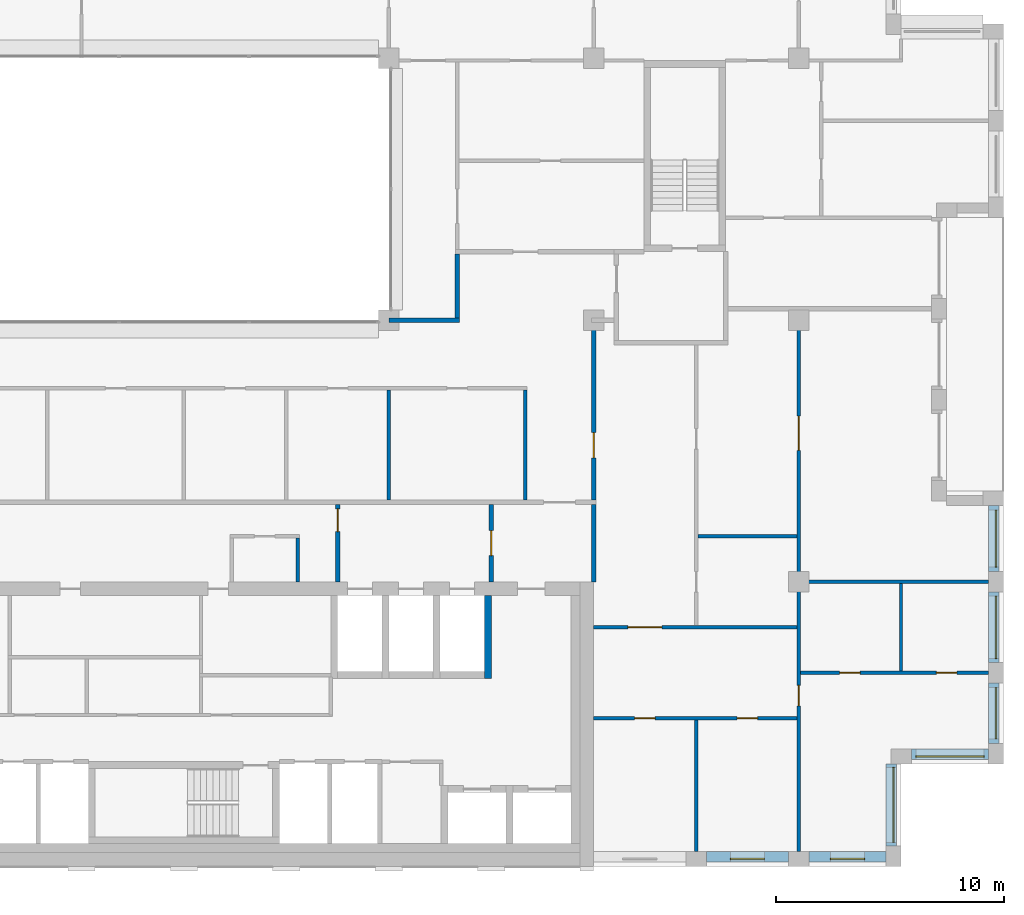
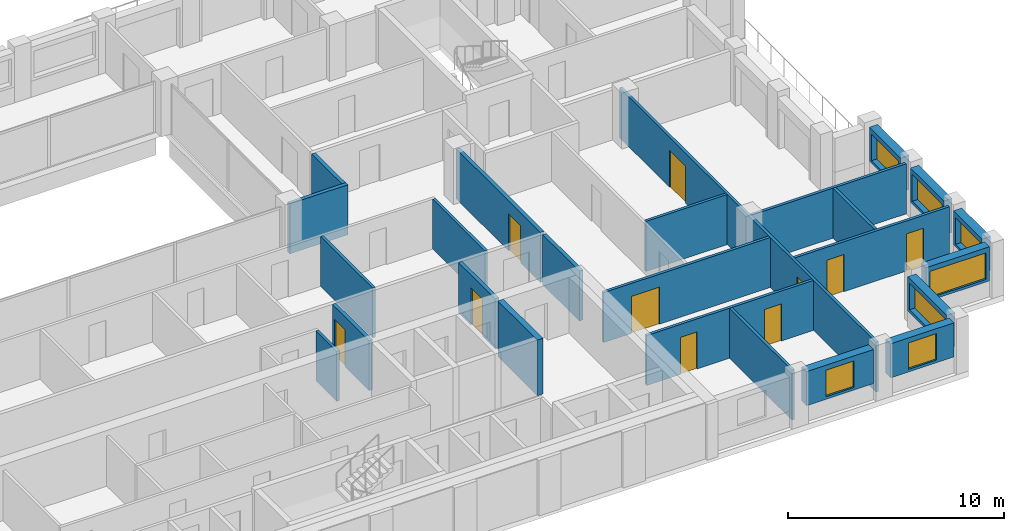
# One storey, part 11 of 15: 25 walls, 10 doors, 7 windows, 17 openings.
"""IFC4 building model written with IfcOpenShell, lengths in metres."""

from ifc_helpers import new_model, si_unit, direction, frame, frame_2d, origin, place, context, subcontext, project, spatial, rectangle, extrude, material, layer, layer_set, type_object, element, fill, save


model = new_model("IFC4")

# Units and contexts
model_context = context("Model", 3, precision=1e-05, world=origin(), true_north=direction((0.0, 1.0)))
body_context = subcontext(model_context, "Body", "Model", "MODEL_VIEW")
ifc_project = project(units=[si_unit("LENGTHUNIT", "METRE"), si_unit("AREAUNIT", "SQUARE_METRE"), si_unit("VOLUMEUNIT", "CUBIC_METRE"), si_unit("PLANEANGLEUNIT", "RADIAN"), si_unit("MASSUNIT", "GRAM", prefix="KILO")], contexts=[model_context])

# Site, building, storey
site_placement = place(None, origin())
site = spatial("IfcSite", under=ifc_project, at=site_placement, CompositionType="ELEMENT")
building_placement = place(site_placement, origin())
building = spatial("IfcBuilding", under=site, at=building_placement, Name="Brigalow Station Residences", CompositionType="ELEMENT")
storey_placement = place(building_placement, frame((0.0, 0.0, 226.35009765625)))
storey = spatial("IfcBuildingStorey", under=building, at=storey_placement, Name="L65", CompositionType="ELEMENT", Elevation=226.35009765625)

# Wall, opening, window
ifc_material_1 = material(Name="Clay brick masonry", Category="masonry")
ifc_layer_1 = layer(ifc_material_1, 0.449951171875)
ifc_layer_set_1 = layer_set([ifc_layer_1], Name="BRICK INFILL WALL 450")
wall_type_1 = type_object("IfcWallType", Name="BRICK INFILL WALL 450", PredefinedType="SOLIDWALL", material=ifc_layer_set_1)
wall_1_placement = place(storey_placement, frame((58.949951171875, 0.425048828125, 0.89990234375), z_axis=(0.0, 0.0, 1.0), x_axis=(1.0, 0.0, 0.0)))
wall_1 = element("IfcWall", 1, at=wall_1_placement, inside=storey, type_object=wall_type_1, Name="L65/ewall/W-L65-4", PredefinedType="SOLIDWALL", context=body_context, shape_type="SweptSolid", body=[
    extrude(rectangle(XDim=3.60009765625, YDim=0.449951171875, at=frame_2d((1.800048828125, 0.0))), origin(), (0.0, 0.0, 1.0), 1.929931640625),
])
opening_1_placement = place(wall_1_placement, frame((1.050048828125, 0.0, 0.14990234375)))
opening_1 = element("IfcOpeningElement", 2, at=opening_1_placement, cuts=wall_1, Name="Opening WT-1", PredefinedType="OPENING", context=body_context, shape_type="SweptSolid", body=[
    extrude(rectangle(XDim=1.5, YDim=1.5, at=frame_2d((0.75, 0.75))), frame((0.0, 0.23486328125, 0.0), z_axis=(0.0, -1.0, 0.0), x_axis=(1.0, 0.0, 0.0)), (0.0, 0.0, 1.0), 0.469970703125),
])
ifc_material_2 = material(Name="Anodised aluminium frame with double glazing", Category="aluminium")
window_type_1 = type_object("IfcWindowType", Name="WINDOW 1500x1500", PartitioningType="SINGLE_PANEL", PredefinedType="WINDOW", material=ifc_material_2)
window_1_placement = place(opening_1_placement, origin())
window_1 = element("IfcWindow", 3, at=window_1_placement, inside=storey, type_object=window_type_1, Name="L65/window/W-L65-4", OverallHeight=1.5, OverallWidth=1.5, PartitioningType="SINGLE_PANEL", PredefinedType="WINDOW", context=body_context, shape_type="SweptSolid", body=[
    extrude(rectangle(XDim=1.5, YDim=1.5, at=frame_2d((0.75, 0.75))), frame((0.0, -0.06494140625, 0.0), z_axis=(0.0, -1.0, 0.0), x_axis=(1.0, 0.0, 0.0)), (0.0, 0.0, 1.0), 0.06005859375),
])
fill(opening_1, window_1)

wall_2_placement = place(storey_placement, frame((63.449951171875, 0.425048828125, 0.89990234375), z_axis=(0.0, 0.0, 1.0), x_axis=(1.0, 0.0, 0.0)))
wall_2 = element("IfcWall", 4, at=wall_2_placement, inside=storey, type_object=wall_type_1, Name="L65/ewall/W-L65-5", PredefinedType="SOLIDWALL", context=body_context, shape_type="SweptSolid", body=[
    extrude(rectangle(XDim=3.400146484375, YDim=0.449951171875, at=frame_2d((1.7001953125, 0.0))), origin(), (0.0, 0.0, 1.0), 1.929931640625),
])
opening_2_placement = place(wall_2_placement, frame((0.949951171875, 0.0, 0.14990234375)))
opening_2 = element("IfcOpeningElement", 5, at=opening_2_placement, cuts=wall_2, Name="Opening WT-1", PredefinedType="OPENING", context=body_context, shape_type="SweptSolid", body=[
    extrude(rectangle(XDim=1.5, YDim=1.5, at=frame_2d((0.75, 0.75))), frame((0.0, 0.23486328125, 0.0), z_axis=(0.0, -1.0, 0.0), x_axis=(1.0, 0.0, 0.0)), (0.0, 0.0, 1.0), 0.469970703125),
])
window_2_placement = place(opening_2_placement, origin())
window_2 = element("IfcWindow", 6, at=window_2_placement, inside=storey, type_object=window_type_1, Name="L65/window/W-L65-5", OverallHeight=1.5, OverallWidth=1.5, PartitioningType="SINGLE_PANEL", PredefinedType="WINDOW", context=body_context, shape_type="SweptSolid", body=[
    extrude(rectangle(XDim=1.5, YDim=1.5, at=frame_2d((0.75, 0.75))), frame((0.0, -0.06494140625, 0.0), z_axis=(0.0, -1.0, 0.0), x_axis=(1.0, 0.0, 0.0)), (0.0, 0.0, 1.0), 0.06005859375),
])
fill(opening_2, window_2)

wall_3_placement = place(storey_placement, frame((67.074951171875, 0.89990234375, 0.89990234375), z_axis=(0.0, 0.0, 1.0), x_axis=(0.0, 1.0, 0.0)))
wall_3 = element("IfcWall", 7, at=wall_3_placement, inside=storey, type_object=wall_type_1, Name="L65/ewall/W-L65-6", PredefinedType="SOLIDWALL", context=body_context, shape_type="SweptSolid", body=[
    extrude(rectangle(XDim=3.60009765625, YDim=0.449951171875, at=frame_2d((1.800048828125, 0.0))), origin(), (0.0, 0.0, 1.0), 1.929931640625),
])
opening_3_placement = place(wall_3_placement, frame((0.14990234375, 0.0, 0.14990234375)))
opening_3 = element("IfcOpeningElement", 8, at=opening_3_placement, cuts=wall_3, Name="Opening WT-10", PredefinedType="OPENING", context=body_context, shape_type="SweptSolid", body=[
    extrude(rectangle(XDim=3.300048828125, YDim=1.5, at=frame_2d((1.64990234375, 0.75))), frame((0.0, 0.23486328125, 0.0), z_axis=(0.0, -1.0, 0.0), x_axis=(1.0, 0.0, 0.0)), (0.0, 0.0, 1.0), 0.469970703125),
])
ifc_material_3 = material(Name="Anodised aluminium frame with double glazing", Category="aluminium")
window_type_2 = type_object("IfcWindowType", Name="WINDOW 3300x1500", PartitioningType="SINGLE_PANEL", PredefinedType="WINDOW", material=ifc_material_3)
window_3_placement = place(opening_3_placement, origin())
window_3 = element("IfcWindow", 9, at=window_3_placement, inside=storey, type_object=window_type_2, Name="L65/window/W-L65-6", OverallHeight=1.5, OverallWidth=3.300048828125, PartitioningType="SINGLE_PANEL", PredefinedType="WINDOW", context=body_context, shape_type="SweptSolid", body=[
    extrude(rectangle(XDim=3.300048828125, YDim=1.5, at=frame_2d((1.64990234375, 0.75))), frame((0.0, -0.06494140625, 0.0), z_axis=(0.0, -1.0, 0.0), x_axis=(1.0, 0.0, 0.0)), (0.0, 0.0, 1.0), 0.06005859375),
])
fill(opening_3, window_3)

wall_4_placement = place(storey_placement, frame((67.949951171875, 4.925048828125, 0.89990234375), z_axis=(0.0, 0.0, 1.0), x_axis=(1.0, 0.0, 0.0)))
wall_4 = element("IfcWall", 10, at=wall_4_placement, inside=storey, type_object=wall_type_1, Name="L65/ewall/W-L65-7", PredefinedType="SOLIDWALL", context=body_context, shape_type="SweptSolid", body=[
    extrude(rectangle(XDim=3.400146484375, YDim=0.449951171875, at=frame_2d((1.7001953125, 0.0))), origin(), (0.0, 0.0, 1.0), 1.929931640625),
])
opening_4_placement = place(wall_4_placement, frame((0.199951171875, 0.0, 0.14990234375)))
opening_4 = element("IfcOpeningElement", 11, at=opening_4_placement, cuts=wall_4, Name="Opening WT-2", PredefinedType="OPENING", context=body_context, shape_type="SweptSolid", body=[
    extrude(rectangle(XDim=3.0, YDim=1.5, at=frame_2d((1.5, 0.75))), frame((0.0, 0.23486328125, 0.0), z_axis=(0.0, -1.0, 0.0), x_axis=(1.0, 0.0, 0.0)), (0.0, 0.0, 1.0), 0.469970703125),
])
ifc_material_4 = material(Name="Anodised aluminium frame with double glazing", Category="aluminium")
window_type_3 = type_object("IfcWindowType", Name="WINDOW 3000x1500", PartitioningType="SINGLE_PANEL", PredefinedType="WINDOW", material=ifc_material_4)
window_4_placement = place(opening_4_placement, origin())
window_4 = element("IfcWindow", 12, at=window_4_placement, inside=storey, type_object=window_type_3, Name="L65/window/W-L65-7", OverallHeight=1.5, OverallWidth=3.0, PartitioningType="SINGLE_PANEL", PredefinedType="WINDOW", context=body_context, shape_type="SweptSolid", body=[
    extrude(rectangle(XDim=3.0, YDim=1.5, at=frame_2d((1.5, 0.75))), frame((0.0, -0.06494140625, 0.0), z_axis=(0.0, -1.0, 0.0), x_axis=(1.0, 0.0, 0.0)), (0.0, 0.0, 1.0), 0.06005859375),
])
fill(opening_4, window_4)

wall_5_placement = place(storey_placement, frame((71.574951171875, 5.39990234375, 0.89990234375), z_axis=(0.0, 0.0, 1.0), x_axis=(0.0, 1.0, 0.0)))
wall_5 = element("IfcWall", 13, at=wall_5_placement, inside=storey, type_object=wall_type_1, Name="L65/ewall/W-L65-8", PredefinedType="SOLIDWALL", context=body_context, shape_type="SweptSolid", body=[
    extrude(rectangle(XDim=2.650146484375, YDim=0.449951171875, at=frame_2d((1.3251953125, 0.0))), origin(), (0.0, 0.0, 1.0), 1.929931640625),
])
opening_5_placement = place(wall_5_placement, frame((0.199951171875, 0.0, 0.14990234375)))
opening_5 = element("IfcOpeningElement", 14, at=opening_5_placement, cuts=wall_5, Name="Opening WT-6", PredefinedType="OPENING", context=body_context, shape_type="SweptSolid", body=[
    extrude(rectangle(XDim=2.25, YDim=1.5, at=frame_2d((1.125, 0.75))), frame((0.0, 0.23486328125, 0.0), z_axis=(0.0, -1.0, 0.0), x_axis=(1.0, 0.0, 0.0)), (0.0, 0.0, 1.0), 0.469970703125),
])
ifc_material_5 = material(Name="Anodised aluminium frame with double glazing", Category="aluminium")
window_type_4 = type_object("IfcWindowType", Name="WINDOW 2250x1500", PartitioningType="SINGLE_PANEL", PredefinedType="WINDOW", material=ifc_material_5)
window_5_placement = place(opening_5_placement, origin())
window_5 = element("IfcWindow", 15, at=window_5_placement, inside=storey, type_object=window_type_4, Name="L65/window/W-L65-8", OverallHeight=1.5, OverallWidth=2.25, PartitioningType="SINGLE_PANEL", PredefinedType="WINDOW", context=body_context, shape_type="SweptSolid", body=[
    extrude(rectangle(XDim=2.25, YDim=1.5, at=frame_2d((1.125, 0.75))), frame((0.0, -0.06494140625, 0.0), z_axis=(0.0, -1.0, 0.0), x_axis=(1.0, 0.0, 0.0)), (0.0, 0.0, 1.0), 0.06005859375),
])
fill(opening_5, window_5)

wall_6_placement = place(storey_placement, frame((71.574951171875, 8.949951171875, 0.89990234375), z_axis=(0.0, 0.0, 1.0), x_axis=(0.0, 1.0, 0.0)))
wall_6 = element("IfcWall", 16, at=wall_6_placement, inside=storey, type_object=wall_type_1, Name="L65/ewall/W-L65-9", PredefinedType="SOLIDWALL", context=body_context, shape_type="SweptSolid", body=[
    extrude(rectangle(XDim=3.10009765625, YDim=0.449951171875, at=frame_2d((1.550048828125, 0.0))), origin(), (0.0, 0.0, 1.0), 1.929931640625),
])
opening_6_placement = place(wall_6_placement, frame((0.175048828125, 0.0, 0.14990234375)))
opening_6 = element("IfcOpeningElement", 17, at=opening_6_placement, cuts=wall_6, Name="Opening WT-3", PredefinedType="OPENING", context=body_context, shape_type="SweptSolid", body=[
    extrude(rectangle(XDim=2.75, YDim=1.5, at=frame_2d((1.375, 0.75))), frame((0.0, 0.23486328125, 0.0), z_axis=(0.0, -1.0, 0.0), x_axis=(1.0, 0.0, 0.0)), (0.0, 0.0, 1.0), 0.469970703125),
])
ifc_material_6 = material(Name="Anodised aluminium frame with double glazing", Category="aluminium")
window_type_5 = type_object("IfcWindowType", Name="WINDOW 2750x1500", PartitioningType="SINGLE_PANEL", PredefinedType="WINDOW", material=ifc_material_6)
window_6_placement = place(opening_6_placement, origin())
window_6 = element("IfcWindow", 18, at=window_6_placement, inside=storey, type_object=window_type_5, Name="L65/window/W-L65-9", OverallHeight=1.5, OverallWidth=2.75, PartitioningType="SINGLE_PANEL", PredefinedType="WINDOW", context=body_context, shape_type="SweptSolid", body=[
    extrude(rectangle(XDim=2.75, YDim=1.5, at=frame_2d((1.375, 0.75))), frame((0.0, -0.06494140625, 0.0), z_axis=(0.0, -1.0, 0.0), x_axis=(1.0, 0.0, 0.0)), (0.0, 0.0, 1.0), 0.06005859375),
])
fill(opening_6, window_6)

wall_7_placement = place(storey_placement, frame((71.574951171875, 12.949951171875, 0.89990234375), z_axis=(0.0, 0.0, 1.0), x_axis=(0.0, 1.0, 0.0)))
wall_7 = element("IfcWall", 19, at=wall_7_placement, inside=storey, type_object=wall_type_1, Name="L65/ewall/W-L65-10", PredefinedType="SOLIDWALL", context=body_context, shape_type="SweptSolid", body=[
    extrude(rectangle(XDim=2.900146484375, YDim=0.449951171875, at=frame_2d((1.4501953125, 0.0))), origin(), (0.0, 0.0, 1.0), 1.929931640625),
])
opening_7_placement = place(wall_7_placement, frame((0.199951171875, 0.0, 0.14990234375)))
opening_7 = element("IfcOpeningElement", 20, at=opening_7_placement, cuts=wall_7, Name="Opening WT-5", PredefinedType="OPENING", context=body_context, shape_type="SweptSolid", body=[
    extrude(rectangle(XDim=2.5, YDim=1.5, at=frame_2d((1.25, 0.75))), frame((0.0, 0.23486328125, 0.0), z_axis=(0.0, -1.0, 0.0), x_axis=(1.0, 0.0, 0.0)), (0.0, 0.0, 1.0), 0.469970703125),
])
ifc_material_7 = material(Name="Anodised aluminium frame with double glazing", Category="aluminium")
window_type_6 = type_object("IfcWindowType", Name="WINDOW 2500x1500", PartitioningType="SINGLE_PANEL", PredefinedType="WINDOW", material=ifc_material_7)
window_7_placement = place(opening_7_placement, origin())
window_7 = element("IfcWindow", 21, at=window_7_placement, inside=storey, type_object=window_type_6, Name="L65/window/W-L65-10", OverallHeight=1.5, OverallWidth=2.5, PartitioningType="SINGLE_PANEL", PredefinedType="WINDOW", context=body_context, shape_type="SweptSolid", body=[
    extrude(rectangle(XDim=2.5, YDim=1.5, at=frame_2d((1.25, 0.75))), frame((0.0, -0.06494140625, 0.0), z_axis=(0.0, -1.0, 0.0), x_axis=(1.0, 0.0, 0.0)), (0.0, 0.0, 1.0), 0.06005859375),
])
fill(opening_7, window_7)

# Wall
ifc_material_8 = material(Name="Concrete C50", Category="concrete")
ifc_layer_2 = layer(ifc_material_8, 0.300048828125)
ifc_layer_set_2 = layer_set([ifc_layer_2], Name="CORE SHEAR WALL 300 C50")
wall_type_2 = type_object("IfcWallType", Name="CORE SHEAR WALL 300 C50", PredefinedType="SHEAR", material=ifc_layer_set_2)
wall_8_placement = place(storey_placement, frame((49.35009765625, 8.25, 0.0), z_axis=(0.0, 0.0, 1.0), x_axis=(0.0, 1.0, 0.0)))
element("IfcWall", 22, at=wall_8_placement, inside=storey, type_object=wall_type_2, Name="CORE WALL SH-SL1-E L65", PredefinedType="SHEAR", context=body_context, shape_type="SweptSolid", body=[
    extrude(rectangle(XDim=3.64990234375, YDim=0.300048828125, at=frame_2d((1.824951171875, 0.0))), origin(), (0.0, 0.0, 1.0), 3.14990234375),
])

# Wall, opening, door
ifc_material_9 = material(Name="Concrete blockwork", Category="masonry")
ifc_layer_3 = layer(ifc_material_9, 0.199951171875)
ifc_layer_set_3 = layer_set([ifc_layer_3], Name="FIRE RATED CORE PARTITION 200")
wall_type_3 = type_object("IfcWallType", Name="FIRE RATED CORE PARTITION 200", PredefinedType="PARTITIONING", material=ifc_layer_set_3)
wall_9_placement = place(storey_placement, frame((42.75, 12.5, 0.0), z_axis=(0.0, 0.0, 1.0), x_axis=(0.0, 1.0, 0.0)))
wall_9 = element("IfcWall", 23, at=wall_9_placement, inside=storey, type_object=wall_type_3, Name="PW-5014", PredefinedType="PARTITIONING", context=body_context, shape_type="SweptSolid", body=[
    extrude(rectangle(XDim=3.39990234375, YDim=0.199951171875, at=frame_2d((1.699951171875, 0.0))), origin(), (0.0, 0.0, 1.0), 2.829833984375),
])
opening_8_placement = place(wall_9_placement, frame((2.199951171875, 0.0, 0.0)))
opening_8 = element("IfcOpeningElement", 24, at=opening_8_placement, cuts=wall_9, Name="Opening D-5013", PredefinedType="OPENING", context=body_context, shape_type="SweptSolid", body=[
    extrude(rectangle(XDim=1.0, YDim=2.10009765625, at=frame_2d((0.5, 1.050048828125))), frame((0.0, 0.10986328125, 0.0), z_axis=(0.0, -1.0, 0.0), x_axis=(1.0, 0.0, 0.0)), (0.0, 0.0, 1.0), 0.219970703125),
])
ifc_material_10 = material(Name="Steel fire door leaf in steel frame", Category="steel")
door_type_1 = type_object("IfcDoorType", Name="LOBBY DOOR 1000 x 2100 FD60S", OperationType="SINGLE_SWING_LEFT", PredefinedType="DOOR", material=ifc_material_10)
door_1_placement = place(opening_8_placement, origin())
door_1 = element("IfcDoor", 25, at=door_1_placement, inside=storey, type_object=door_type_1, Name="D-5013", OperationType="SINGLE_SWING_RIGHT", OverallHeight=2.10009765625, OverallWidth=1.0, PredefinedType="DOOR", context=body_context, shape_type="SweptSolid", body=[
    extrude(rectangle(XDim=1.0, YDim=2.10009765625, at=frame_2d((0.5, 1.050048828125))), frame((0.0, 0.02490234375, 0.0), z_axis=(0.0, -1.0, 0.0), x_axis=(1.0, 0.0, 0.0)), (0.0, 0.0, 1.0), 0.050048828125),
])
fill(opening_8, door_1)

wall_10_placement = place(storey_placement, frame((49.5, 12.5, 0.0), z_axis=(0.0, 0.0, 1.0), x_axis=(0.0, 1.0, 0.0)))
wall_10 = element("IfcWall", 26, at=wall_10_placement, inside=storey, type_object=wall_type_3, Name="PW-5015", PredefinedType="PARTITIONING", context=body_context, shape_type="SweptSolid", body=[
    extrude(rectangle(XDim=3.39990234375, YDim=0.199951171875, at=frame_2d((1.699951171875, 0.0))), origin(), (0.0, 0.0, 1.0), 2.829833984375),
])
opening_9_placement = place(wall_10_placement, frame((1.14990234375, 0.0, 0.0)))
opening_9 = element("IfcOpeningElement", 27, at=opening_9_placement, cuts=wall_10, Name="Opening D-5014", PredefinedType="OPENING", context=body_context, shape_type="SweptSolid", body=[
    extrude(rectangle(XDim=1.10009765625, YDim=2.10009765625, at=frame_2d((0.550048828125, 1.050048828125))), frame((0.0, 0.10986328125, 0.0), z_axis=(0.0, -1.0, 0.0), x_axis=(1.0, 0.0, 0.0)), (0.0, 0.0, 1.0), 0.219970703125),
])
ifc_material_11 = material(Name="Steel fire door leaf in steel frame", Category="steel")
door_type_2 = type_object("IfcDoorType", Name="LOBBY DOOR 1100 x 2100 FD60S", OperationType="SINGLE_SWING_LEFT", PredefinedType="DOOR", material=ifc_material_11)
door_2_placement = place(opening_9_placement, origin())
door_2 = element("IfcDoor", 28, at=door_2_placement, inside=storey, type_object=door_type_2, Name="D-5014", OperationType="SINGLE_SWING_LEFT", OverallHeight=2.10009765625, OverallWidth=1.10009765625, PredefinedType="DOOR", context=body_context, shape_type="SweptSolid", body=[
    extrude(rectangle(XDim=1.10009765625, YDim=2.10009765625, at=frame_2d((0.550048828125, 1.050048828125))), frame((0.0, 0.02490234375, 0.0), z_axis=(0.0, -1.0, 0.0), x_axis=(1.0, 0.0, 0.0)), (0.0, 0.0, 1.0), 0.050048828125),
])
fill(opening_9, door_2)

# Wall
wall_11_placement = place(storey_placement, frame((54.0, 12.5, 0.0), z_axis=(0.0, 0.0, 1.0), x_axis=(0.0, 1.0, 0.0)))
element("IfcWall", 29, at=wall_11_placement, inside=storey, type_object=wall_type_3, Name="PW-5016", PredefinedType="PARTITIONING", context=body_context, shape_type="SweptSolid", body=[
    extrude(rectangle(XDim=3.39990234375, YDim=0.199951171875, at=frame_2d((1.699951171875, 0.0))), origin(), (0.0, 0.0, 1.0), 2.829833984375),
])

# Wall, openings, doors
ifc_material_12 = material(Name="Plasterboard on steel stud partition", Category="steel")
ifc_layer_4 = layer(ifc_material_12, 0.14990234375)
ifc_layer_set_4 = layer_set([ifc_layer_4], Name="FLAT PARTITION 150")
wall_type_4 = type_object("IfcWallType", Name="FLAT PARTITION 150", PredefinedType="PARTITIONING", material=ifc_layer_set_4)
wall_12_placement = place(storey_placement, frame((63.074951171875, 8.5, 0.0), z_axis=(0.0, 0.0, 1.0), x_axis=(1.0, 0.0, 0.0)))
wall_12 = element("IfcWall", 30, at=wall_12_placement, inside=storey, type_object=wall_type_4, Name="PW-4D12", PredefinedType="PARTITIONING", context=body_context, shape_type="SweptSolid", body=[
    extrude(rectangle(XDim=8.275146484375, YDim=0.14990234375, at=frame_2d((4.1376953125, 0.0))), origin(), (0.0, 0.0, 1.0), 2.829833984375),
])
opening_10_placement = place(wall_12_placement, frame((1.72509765625, 0.0, 0.0)))
opening_10 = element("IfcOpeningElement", 31, at=opening_10_placement, cuts=wall_12, Name="Opening D-4D36", PredefinedType="OPENING", context=body_context, shape_type="SweptSolid", body=[
    extrude(rectangle(XDim=0.89990234375, YDim=2.10009765625, at=frame_2d((0.449951171875, 1.050048828125))), frame((0.0, 0.0849609375, 0.0), z_axis=(0.0, -1.0, 0.0), x_axis=(1.0, 0.0, 0.0)), (0.0, 0.0, 1.0), 0.169921875),
])
opening_11_placement = place(wall_12_placement, frame((5.97509765625, 0.0, 0.0)))
opening_11 = element("IfcOpeningElement", 32, at=opening_11_placement, cuts=wall_12, Name="Opening D-4D37", PredefinedType="OPENING", context=body_context, shape_type="SweptSolid", body=[
    extrude(rectangle(XDim=0.89990234375, YDim=2.10009765625, at=frame_2d((0.449951171875, 1.050048828125))), frame((0.0, 0.0849609375, 0.0), z_axis=(0.0, -1.0, 0.0), x_axis=(1.0, 0.0, 0.0)), (0.0, 0.0, 1.0), 0.169921875),
])
ifc_material_13 = material(Name="Solid-core timber door leaf", Category="wood")
door_type_3 = type_object("IfcDoorType", Name="INTERNAL DOOR 900 x 2100", OperationType="SINGLE_SWING_LEFT", PredefinedType="DOOR", material=ifc_material_13)
door_3_placement = place(opening_10_placement, origin())
door_3 = element("IfcDoor", 33, at=door_3_placement, inside=storey, type_object=door_type_3, Name="D-4D36", OperationType="SINGLE_SWING_LEFT", OverallHeight=2.10009765625, OverallWidth=0.89990234375, PredefinedType="DOOR", context=body_context, shape_type="SweptSolid", body=[
    extrude(rectangle(XDim=0.89990234375, YDim=2.10009765625, at=frame_2d((0.449951171875, 1.050048828125))), frame((0.0, 0.02490234375, 0.0), z_axis=(0.0, -1.0, 0.0), x_axis=(1.0, 0.0, 0.0)), (0.0, 0.0, 1.0), 0.050048828125),
])
fill(opening_10, door_3)
door_4_placement = place(opening_11_placement, origin())
door_4 = element("IfcDoor", 34, at=door_4_placement, inside=storey, type_object=door_type_3, Name="D-4D37", OperationType="SINGLE_SWING_RIGHT", OverallHeight=2.10009765625, OverallWidth=0.89990234375, PredefinedType="DOOR", context=body_context, shape_type="SweptSolid", body=[
    extrude(rectangle(XDim=0.89990234375, YDim=2.10009765625, at=frame_2d((0.449951171875, 1.050048828125))), frame((0.0, 0.02490234375, 0.0), z_axis=(0.0, -1.0, 0.0), x_axis=(1.0, 0.0, 0.0)), (0.0, 0.0, 1.0), 0.050048828125),
])
fill(opening_11, door_4)

# Wall
wall_13_placement = place(storey_placement, frame((63.074951171875, 12.5, 0.0), z_axis=(0.0, 0.0, 1.0), x_axis=(1.0, 0.0, 0.0)))
element("IfcWall", 35, at=wall_13_placement, inside=storey, type_object=wall_type_4, Name="PW-4D14", PredefinedType="PARTITIONING", context=body_context, shape_type="SweptSolid", body=[
    extrude(rectangle(XDim=8.275146484375, YDim=0.14990234375, at=frame_2d((4.1376953125, 0.0))), origin(), (0.0, 0.0, 1.0), 2.829833984375),
])

# Wall, openings, doors
wall_14_placement = place(storey_placement, frame((54.0, 6.5, 0.0), z_axis=(0.0, 0.0, 1.0), x_axis=(1.0, 0.0, 0.0)))
wall_14 = element("IfcWall", 36, at=wall_14_placement, inside=storey, type_object=wall_type_4, Name="PW-4D24", PredefinedType="PARTITIONING", context=body_context, shape_type="SweptSolid", body=[
    extrude(rectangle(XDim=8.925048828125, YDim=0.14990234375, at=frame_2d((4.46240234375, 0.0))), origin(), (0.0, 0.0, 1.0), 2.829833984375),
])
opening_12_placement = place(wall_14_placement, frame((1.800048828125, 0.0, 0.0)))
opening_12 = element("IfcOpeningElement", 37, at=opening_12_placement, cuts=wall_14, Name="Opening D-4D33", PredefinedType="OPENING", context=body_context, shape_type="SweptSolid", body=[
    extrude(rectangle(XDim=0.89990234375, YDim=2.10009765625, at=frame_2d((0.449951171875, 1.050048828125))), frame((0.0, 0.0849609375, 0.0), z_axis=(0.0, -1.0, 0.0), x_axis=(1.0, 0.0, 0.0)), (0.0, 0.0, 1.0), 0.169921875),
])
opening_13_placement = place(wall_14_placement, frame((6.300048828125, 0.0, 0.0)))
opening_13 = element("IfcOpeningElement", 38, at=opening_13_placement, cuts=wall_14, Name="Opening D-4D34", PredefinedType="OPENING", context=body_context, shape_type="SweptSolid", body=[
    extrude(rectangle(XDim=0.89990234375, YDim=2.10009765625, at=frame_2d((0.449951171875, 1.050048828125))), frame((0.0, 0.0849609375, 0.0), z_axis=(0.0, -1.0, 0.0), x_axis=(1.0, 0.0, 0.0)), (0.0, 0.0, 1.0), 0.169921875),
])
door_5_placement = place(opening_12_placement, frame((0.89990234375, 0.0, 0.0), z_axis=(0.0, 0.0, 1.0), x_axis=(-1.0, 0.0, 0.0)))
door_5 = element("IfcDoor", 39, at=door_5_placement, inside=storey, type_object=door_type_3, Name="D-4D33", OperationType="SINGLE_SWING_LEFT", OverallHeight=2.10009765625, OverallWidth=0.89990234375, PredefinedType="DOOR", context=body_context, shape_type="SweptSolid", body=[
    extrude(rectangle(XDim=0.89990234375, YDim=2.10009765625, at=frame_2d((0.449951171875, 1.050048828125))), frame((0.0, 0.02490234375, 0.0), z_axis=(0.0, -1.0, 0.0), x_axis=(1.0, 0.0, 0.0)), (0.0, 0.0, 1.0), 0.050048828125),
])
fill(opening_12, door_5)
door_6_placement = place(opening_13_placement, frame((0.89990234375, 0.0, 0.0), z_axis=(0.0, 0.0, 1.0), x_axis=(-1.0, 0.0, 0.0)))
door_6 = element("IfcDoor", 40, at=door_6_placement, inside=storey, type_object=door_type_3, Name="D-4D34", OperationType="SINGLE_SWING_RIGHT", OverallHeight=2.10009765625, OverallWidth=0.89990234375, PredefinedType="DOOR", context=body_context, shape_type="SweptSolid", body=[
    extrude(rectangle(XDim=0.89990234375, YDim=2.10009765625, at=frame_2d((0.449951171875, 1.050048828125))), frame((0.0, 0.02490234375, 0.0), z_axis=(0.0, -1.0, 0.0), x_axis=(1.0, 0.0, 0.0)), (0.0, 0.0, 1.0), 0.050048828125),
])
fill(opening_13, door_6)

# Wall, opening, door
wall_15_placement = place(storey_placement, frame((54.0, 10.5, 0.0), z_axis=(0.0, 0.0, 1.0), x_axis=(1.0, 0.0, 0.0)))
wall_15 = element("IfcWall", 41, at=wall_15_placement, inside=storey, type_object=wall_type_4, Name="PW-4D25", PredefinedType="PARTITIONING", context=body_context, shape_type="SweptSolid", body=[
    extrude(rectangle(XDim=8.925048828125, YDim=0.14990234375, at=frame_2d((4.46240234375, 0.0))), origin(), (0.0, 0.0, 1.0), 2.829833984375),
])
opening_14_placement = place(wall_15_placement, frame((1.5, 0.0, 0.0)))
opening_14 = element("IfcOpeningElement", 42, at=opening_14_placement, cuts=wall_15, Name="Opening D-4D32", PredefinedType="OPENING", context=body_context, shape_type="SweptSolid", body=[
    extrude(rectangle(XDim=1.5, YDim=2.10009765625, at=frame_2d((0.75, 1.050048828125))), frame((0.0, 0.0849609375, 0.0), z_axis=(0.0, -1.0, 0.0), x_axis=(1.0, 0.0, 0.0)), (0.0, 0.0, 1.0), 0.169921875),
])
ifc_material_14 = material(Name="Solid-core timber door leaf", Category="wood")
door_type_4 = type_object("IfcDoorType", Name="INTERNAL DOUBLE DOOR 1500 x 2100", OperationType="DOUBLE_DOOR_SINGLE_SWING", PredefinedType="DOOR", material=ifc_material_14)
door_7_placement = place(opening_14_placement, frame((1.5, 0.0, 0.0), z_axis=(0.0, 0.0, 1.0), x_axis=(-1.0, 0.0, 0.0)))
door_7 = element("IfcDoor", 43, at=door_7_placement, inside=storey, type_object=door_type_4, Name="D-4D32", OperationType="DOUBLE_DOOR_SINGLE_SWING", OverallHeight=2.10009765625, OverallWidth=1.5, PredefinedType="DOOR", context=body_context, shape_type="SweptSolid", body=[
    extrude(rectangle(XDim=1.5, YDim=2.10009765625, at=frame_2d((0.75, 1.050048828125))), frame((0.0, 0.02490234375, 0.0), z_axis=(0.0, -1.0, 0.0), x_axis=(1.0, 0.0, 0.0)), (0.0, 0.0, 1.0), 0.050048828125),
])
fill(opening_14, door_7)

# Walls
wall_16_placement = place(storey_placement, frame((58.574951171875, 14.5, 0.0), z_axis=(0.0, 0.0, 1.0), x_axis=(1.0, 0.0, 0.0)))
element("IfcWall", 44, at=wall_16_placement, inside=storey, type_object=wall_type_4, Name="PW-4D26", PredefinedType="PARTITIONING", context=body_context, shape_type="SweptSolid", body=[
    extrude(rectangle(XDim=4.35009765625, YDim=0.14990234375, at=frame_2d((2.175048828125, 0.0))), origin(), (0.0, 0.0, 1.0), 2.829833984375),
])
for number, where, z_axis, x_axis, name in (
    (45, (51.0, 16.10009765625, 0.0), (0.0, 0.0, 1.0), (0.0, 1.0, 0.0), "PW-4D33"),
    (46, (45.0, 16.10009765625, 0.0), (0.0, 0.0, 1.0), (0.0, 1.0, 0.0), "PW-4D40"),
):
    element("IfcWall", number, at=place(storey_placement, frame(where, z_axis=z_axis, x_axis=x_axis)), inside=storey, type_object=wall_type_4, Name=name, PredefinedType="PARTITIONING", context=body_context, shape_type="SweptSolid", body=[
        extrude(rectangle(XDim=4.824951171875, YDim=0.14990234375, at=frame_2d((2.41259765625, 0.0))), origin(), (0.0, 0.0, 1.0), 2.829833984375),
    ])

# Wall, openings, doors
wall_17_placement = place(storey_placement, frame((63.0, 0.64990234375, 0.0), z_axis=(0.0, 0.0, 1.0), x_axis=(0.0, 1.0, 0.0)))
wall_17 = element("IfcWall", 47, at=wall_17_placement, inside=storey, type_object=wall_type_4, Name="PW-4D45", PredefinedType="PARTITIONING", context=body_context, shape_type="SweptSolid", body=[
    extrude(rectangle(XDim=23.75, YDim=0.14990234375, at=frame_2d((11.875, 0.0))), origin(), (0.0, 0.0, 1.0), 2.829833984375),
])
opening_15_placement = place(wall_17_placement, frame((6.39990234375, 0.0, 0.0)))
opening_15 = element("IfcOpeningElement", 48, at=opening_15_placement, cuts=wall_17, Name="Opening D-4D35", PredefinedType="OPENING", context=body_context, shape_type="SweptSolid", body=[
    extrude(rectangle(XDim=0.89990234375, YDim=2.10009765625, at=frame_2d((0.449951171875, 1.050048828125))), frame((0.0, 0.0849609375, 0.0), z_axis=(0.0, -1.0, 0.0), x_axis=(1.0, 0.0, 0.0)), (0.0, 0.0, 1.0), 0.169921875),
])
opening_16_placement = place(wall_17_placement, frame((17.625, 0.0, 0.0)))
opening_16 = element("IfcOpeningElement", 49, at=opening_16_placement, cuts=wall_17, Name="Opening D-4D40", PredefinedType="OPENING", context=body_context, shape_type="SweptSolid", body=[
    extrude(rectangle(XDim=1.5, YDim=2.10009765625, at=frame_2d((0.75, 1.050048828125))), frame((0.0, 0.0849609375, 0.0), z_axis=(0.0, -1.0, 0.0), x_axis=(1.0, 0.0, 0.0)), (0.0, 0.0, 1.0), 0.169921875),
])
door_8_placement = place(opening_15_placement, origin())
door_8 = element("IfcDoor", 50, at=door_8_placement, inside=storey, type_object=door_type_3, Name="D-4D35", OperationType="SINGLE_SWING_LEFT", OverallHeight=2.10009765625, OverallWidth=0.89990234375, PredefinedType="DOOR", context=body_context, shape_type="SweptSolid", body=[
    extrude(rectangle(XDim=0.89990234375, YDim=2.10009765625, at=frame_2d((0.449951171875, 1.050048828125))), frame((0.0, 0.02490234375, 0.0), z_axis=(0.0, -1.0, 0.0), x_axis=(1.0, 0.0, 0.0)), (0.0, 0.0, 1.0), 0.050048828125),
])
fill(opening_15, door_8)
door_9_placement = place(opening_16_placement, origin())
door_9 = element("IfcDoor", 51, at=door_9_placement, inside=storey, type_object=door_type_4, Name="D-4D40", OperationType="DOUBLE_DOOR_SINGLE_SWING", OverallHeight=2.10009765625, OverallWidth=1.5, PredefinedType="DOOR", context=body_context, shape_type="SweptSolid", body=[
    extrude(rectangle(XDim=1.5, YDim=2.10009765625, at=frame_2d((0.75, 1.050048828125))), frame((0.0, 0.02490234375, 0.0), z_axis=(0.0, -1.0, 0.0), x_axis=(1.0, 0.0, 0.0)), (0.0, 0.0, 1.0), 0.050048828125),
])
fill(opening_16, door_9)

# Walls
wall_18_placement = place(storey_placement, frame((67.5, 8.574951171875, 0.0), z_axis=(0.0, 0.0, 1.0), x_axis=(0.0, 1.0, 0.0)))
element("IfcWall", 52, at=wall_18_placement, inside=storey, type_object=wall_type_4, Name="PW-4D47", PredefinedType="PARTITIONING", context=body_context, shape_type="SweptSolid", body=[
    extrude(rectangle(XDim=3.85009765625, YDim=0.14990234375, at=frame_2d((1.925048828125, 0.0))), origin(), (0.0, 0.0, 1.0), 2.829833984375),
])
wall_19_placement = place(storey_placement, frame((58.5, 0.64990234375, 0.0), z_axis=(0.0, 0.0, 1.0), x_axis=(0.0, 1.0, 0.0)))
element("IfcWall", 53, at=wall_19_placement, inside=storey, type_object=wall_type_4, Name="PW-4D50", PredefinedType="PARTITIONING", context=body_context, shape_type="SweptSolid", body=[
    extrude(rectangle(XDim=5.775146484375, YDim=0.14990234375, at=frame_2d((2.8876953125, 0.0))), origin(), (0.0, 0.0, 1.0), 2.829833984375),
])
ifc_material_15 = material(Name="Plasterboard on steel stud partition", Category="steel")
ifc_layer_5 = layer(ifc_material_15, 0.199951171875)
ifc_layer_set_5 = layer_set([ifc_layer_5], Name="PARTY AND CORRIDOR WALL 200")
wall_type_5 = type_object("IfcWallType", Name="PARTY AND CORRIDOR WALL 200", PredefinedType="PARTITIONING", material=ifc_layer_set_5)
wall_20_placement = place(storey_placement, frame((45.0, 24.0, 0.0), z_axis=(0.0, 0.0, 1.0), x_axis=(1.0, 0.0, 0.0)))
element("IfcWall", 54, at=wall_20_placement, inside=storey, type_object=wall_type_5, Name="PW-4D03", PredefinedType="PARTITIONING", context=body_context, shape_type="SweptSolid", body=[
    extrude(rectangle(XDim=3.10009765625, YDim=0.199951171875, at=frame_2d((1.550048828125, 0.0))), origin(), (0.0, 0.0, 1.0), 2.829833984375),
])

# Wall, opening, door
wall_21_placement = place(storey_placement, frame((54.0, 16.10009765625, 0.0), z_axis=(0.0, 0.0, 1.0), x_axis=(0.0, 1.0, 0.0)))
wall_21 = element("IfcWall", 55, at=wall_21_placement, inside=storey, type_object=wall_type_5, Name="PW-4D31", PredefinedType="PARTITIONING", context=body_context, shape_type="SweptSolid", body=[
    extrude(rectangle(XDim=7.7998046875, YDim=0.199951171875, at=frame_2d((3.89990234375, 0.0))), origin(), (0.0, 0.0, 1.0), 2.829833984375),
])
opening_17_placement = place(wall_21_placement, frame((1.85009765625, 0.0, 0.0)))
opening_17 = element("IfcOpeningElement", 56, at=opening_17_placement, cuts=wall_21, Name="Opening D-4D31", PredefinedType="OPENING", context=body_context, shape_type="SweptSolid", body=[
    extrude(rectangle(XDim=1.10009765625, YDim=2.10009765625, at=frame_2d((0.550048828125, 1.050048828125))), frame((0.0, 0.10986328125, 0.0), z_axis=(0.0, -1.0, 0.0), x_axis=(1.0, 0.0, 0.0)), (0.0, 0.0, 1.0), 0.219970703125),
])
ifc_material_16 = material(Name="Solid-core timber door leaf", Category="wood")
door_type_5 = type_object("IfcDoorType", Name="FLAT ENTRANCE DOOR 1100 x 2100 FRL -/60/30", OperationType="SINGLE_SWING_LEFT", PredefinedType="DOOR", material=ifc_material_16)
door_10_placement = place(opening_17_placement, frame((1.10009765625, 0.0, 0.0), z_axis=(0.0, 0.0, 1.0), x_axis=(-1.0, 0.0, 0.0)))
door_10 = element("IfcDoor", 57, at=door_10_placement, inside=storey, type_object=door_type_5, Name="D-4D31", OperationType="SINGLE_SWING_LEFT", OverallHeight=2.10009765625, OverallWidth=1.10009765625, PredefinedType="DOOR", context=body_context, shape_type="SweptSolid", body=[
    extrude(rectangle(XDim=1.10009765625, YDim=2.10009765625, at=frame_2d((0.550048828125, 1.050048828125))), frame((0.0, 0.02490234375, 0.0), z_axis=(0.0, -1.0, 0.0), x_axis=(1.0, 0.0, 0.0)), (0.0, 0.0, 1.0), 0.050048828125),
])
fill(opening_17, door_10)

# Walls
wall_22_placement = place(storey_placement, frame((48.0, 24.10009765625, 0.0), z_axis=(0.0, 0.0, 1.0), x_axis=(0.0, 1.0, 0.0)))
element("IfcWall", 58, at=wall_22_placement, inside=storey, type_object=wall_type_5, Name="PW-4D37", PredefinedType="PARTITIONING", context=body_context, shape_type="SweptSolid", body=[
    extrude(rectangle(XDim=2.7998046875, YDim=0.199951171875, at=frame_2d((1.39990234375, 0.0))), origin(), (0.0, 0.0, 1.0), 2.829833984375),
])
ifc_material_17 = material(Name="Plasterboard on steel studs", Category="steel")
ifc_layer_6 = layer(ifc_material_17, 0.14990234375)
ifc_layer_set_6 = layer_set([ifc_layer_6], Name="SERVICE ROOM PARTITION 150")
wall_type_6 = type_object("IfcWallType", Name="SERVICE ROOM PARTITION 150", PredefinedType="PARTITIONING", material=ifc_layer_set_6)
wall_23_placement = place(storey_placement, frame((41.0, 12.5, 0.0), z_axis=(0.0, 0.0, 1.0), x_axis=(0.0, 1.0, 0.0)))
element("IfcWall", 59, at=wall_23_placement, inside=storey, type_object=wall_type_6, Name="PW-5140", PredefinedType="PARTITIONING", context=body_context, shape_type="SweptSolid", body=[
    extrude(rectangle(XDim=1.925048828125, YDim=0.14990234375, at=frame_2d((0.96240234375, 0.0))), origin(), (0.0, 0.0, 1.0), 2.829833984375),
])

save(model, "model.ifc")
